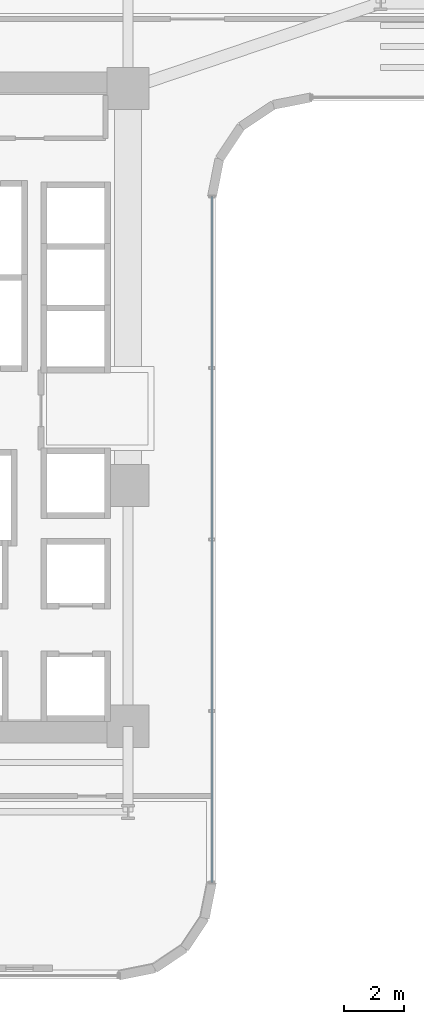
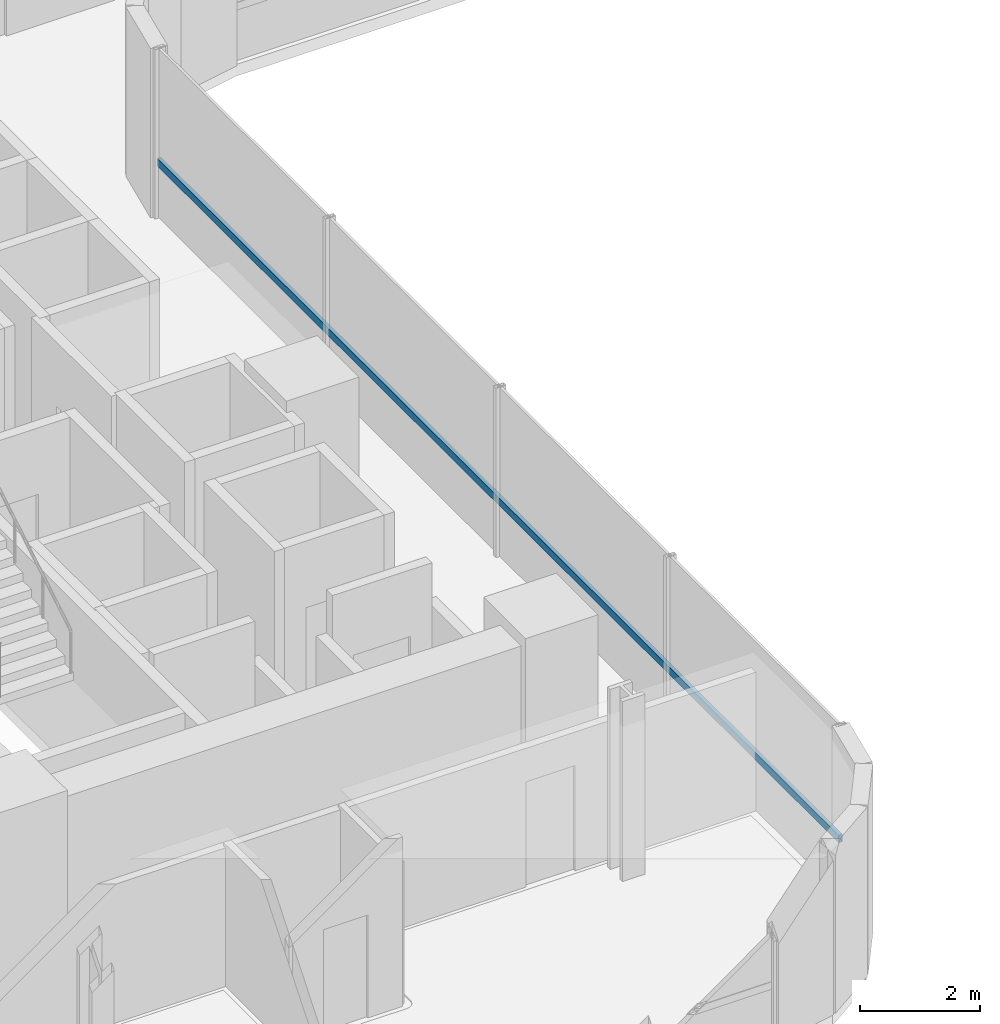
# One storey, part 7 of 40: 1 member, 1 element without a shape of its own.
"""IFC4 building model written with IfcOpenShell, lengths in metres."""

from ifc_helpers import new_model, si_unit, direction, frame, origin, origin_2d, place, context, subcontext, project, spatial, hollow_rectangle, extrude, source, transform, mapped, material, material_profile, profile_set, type_object, element, aggregate, save


model = new_model("IFC4")

# Units and contexts
model_context = context("Model", 3, precision=1e-05, world=origin(), true_north=direction((0.0, 1.0)))
body_context = subcontext(model_context, "Body", "Model", "MODEL_VIEW")
ifc_project = project(units=[si_unit("LENGTHUNIT", "METRE"), si_unit("AREAUNIT", "SQUARE_METRE"), si_unit("VOLUMEUNIT", "CUBIC_METRE"), si_unit("PLANEANGLEUNIT", "RADIAN"), si_unit("MASSUNIT", "GRAM", prefix="KILO")], contexts=[model_context])

# Site, building, storey
site_placement = place(None, origin())
site = spatial("IfcSite", under=ifc_project, at=site_placement, CompositionType="ELEMENT")
building_placement = place(site_placement, origin())
building = spatial("IfcBuilding", under=site, at=building_placement, Name="Valdorenza Pilgrim Sanctuary Tower", CompositionType="ELEMENT")
storey_placement = place(building_placement, frame((0.0, 0.0, 66.699951171875)))
storey = spatial("IfcBuildingStorey", under=building, at=storey_placement, Name="L16", CompositionType="ELEMENT", Elevation=66.699951171875)

# Curtain wall, member
ifc_material_1 = material(Name="Curtain-wall IGU glazing", Category="glass")
curtain_wall_type = type_object("IfcCurtainWallType", Name="CW-SYS-02", PredefinedType="NOTDEFINED", material=ifc_material_1)
curtain_wall_placement = place(storey_placement, origin())
curtain_wall = element("IfcCurtainWall", 1, at=curtain_wall_placement, inside=storey, type_object=curtain_wall_type, Name="L16 Curtain Wall CW-L16-1-41", PredefinedType="NOTDEFINED")
ifc_material_2 = material(Name="Anodised aluminium AW-6060", Category="aluminium")
ifc_material_profile = material_profile(ifc_material_2, hollow_rectangle(XDim=0.074951171875, YDim=0.14990234375, WallThickness=0.00390625, at=origin_2d()), Name="ALU-T 150x75x4")
ifc_profile_set = profile_set([ifc_material_profile], Name="Anodised aluminium AW-6060")
member_type = type_object("IfcMemberType", Name="CW-TRN-02", PredefinedType="USERDEFINED", material=ifc_profile_set)
shared_shape = source(origin(), body_context, "Body", "SweptSolid", [
    extrude(hollow_rectangle(XDim=0.074951171875, YDim=0.14990234375, WallThickness=0.00390625, at=origin_2d()), origin(), (0.0, 0.0, 1.0), 22.800048828125),
])
member_placement = place(storey_placement, frame((-9.610107421875, 7.0107421875, 1.1201171875), z_axis=(0.0, -1.0, 0.0), x_axis=(1.0, 0.0, 0.0)))
member = element("IfcMember", 2, at=member_placement, type_object=member_type, Name="CW-L16-1-41 Transom 1", ObjectType="TRANSOM", PredefinedType="USERDEFINED", context=body_context, shape_type="MappedRepresentation", body=[
    mapped(shared_shape, transform((0.0, 0.0, 0.0), x_axis=(1.0, 0.0, 0.0), y_axis=(0.0, 1.0, 0.0), z_axis=(0.0, 0.0, 1.0), scale=1.0)),
])
aggregate(curtain_wall, [member])

save(model, "model.ifc")
